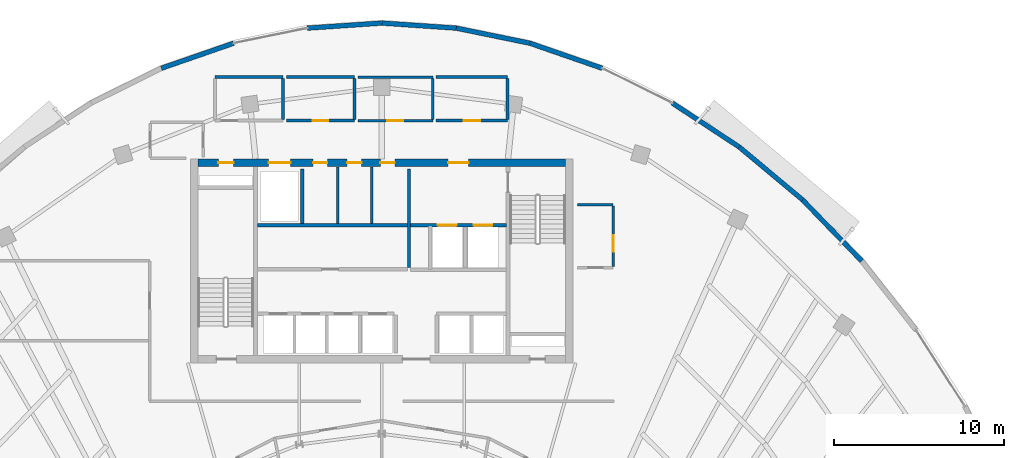
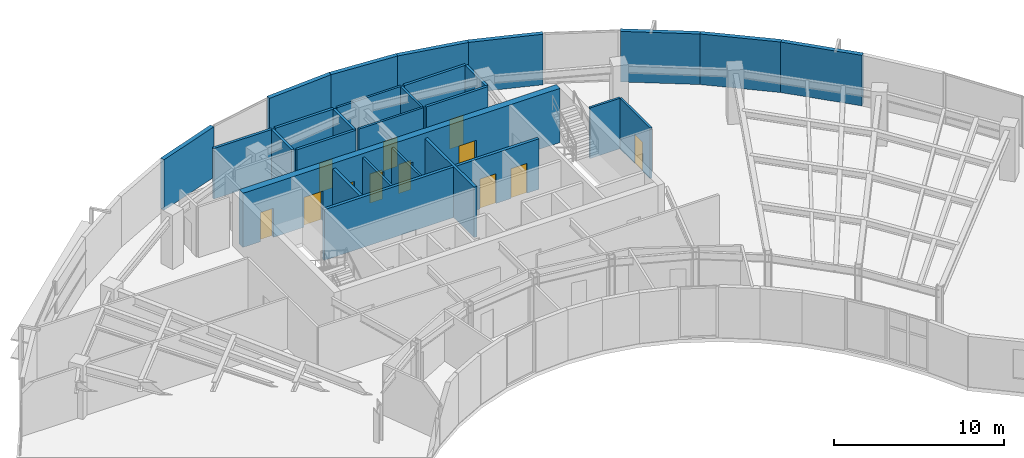
# One storey, part 10 of 14: 28 walls, 12 doors, 12 openings.
"""IFC4 building model written with IfcOpenShell, lengths in metres."""

from ifc_helpers import new_model, si_unit, direction, frame, frame_2d, origin, place, context, subcontext, project, spatial, rectangle, extrude, source, transform, mapped, material, layer, layer_set, type_object, type_shapes, element, fill, save


model = new_model("IFC4")

# Units and contexts
model_context = context("Model", 3, precision=1e-05, world=origin(), true_north=direction((0.0, 1.0)))
body_context = subcontext(model_context, "Body", "Model", "MODEL_VIEW")
ifc_project = project(units=[si_unit("LENGTHUNIT", "METRE"), si_unit("AREAUNIT", "SQUARE_METRE"), si_unit("VOLUMEUNIT", "CUBIC_METRE"), si_unit("PLANEANGLEUNIT", "RADIAN"), si_unit("MASSUNIT", "GRAM", prefix="KILO")], contexts=[model_context])

# Site, building, storey
site_placement = place(None, origin())
site = spatial("IfcSite", under=ifc_project, at=site_placement, CompositionType="ELEMENT")
building_placement = place(site_placement, origin())
building = spatial("IfcBuilding", under=site, at=building_placement, Name="Breltana Convention Tower", CompositionType="ELEMENT")
storey_placement = place(building_placement, frame((0.0, 0.0, 207.89990234375)))
storey = spatial("IfcBuildingStorey", under=building, at=storey_placement, Name="L50", CompositionType="ELEMENT", Elevation=207.89990234375)

# Wall, openings, doors
ifc_material_1 = material(Name="Concrete C60/75", Category="concrete")
ifc_layer_1 = layer(ifc_material_1, 0.449951171875, Name="Concrete C60/75")
ifc_layer_set_1 = layer_set([ifc_layer_1], Name="Concrete C60/75")
wall_type_1 = type_object("IfcWallType", Name="SW-CORE-450", PredefinedType="SHEAR", material=ifc_layer_set_1)
shared_shape_1 = source(origin(), body_context, "Body", "SweptSolid", [
    extrude(rectangle(XDim=21.60009765625, YDim=0.449951171875, at=frame_2d((10.800048828125, 0.0))), origin(), (0.0, 0.0, 1.0), 3.900146484375),
])
wall_1_placement = place(storey_placement, frame((37.199951171875, 71.97509765625, 0.0), z_axis=(0.0, 0.0, 1.0), x_axis=(1.0, 0.0, 0.0)))
wall_1 = element("IfcWall", 1, at=wall_1_placement, inside=storey, type_object=wall_type_1, Name="L50 North Core Shear Wall", PredefinedType="SHEAR", context=body_context, shape_type="MappedRepresentation", body=[
    mapped(shared_shape_1, transform((0.0, 0.0, 0.0), scale=1.0)),
])
opening_1_placement = place(wall_1_placement, frame((1.199951171875, 0.0, 0.0)))
opening_1 = element("IfcOpeningElement", 2, at=opening_1_placement, cuts=wall_1, Name="Opening D-18", PredefinedType="OPENING", context=body_context, shape_type="SweptSolid", body=[
    extrude(rectangle(XDim=0.89990234375, YDim=2.10009765625, at=frame_2d((0.449951171875, 1.050048828125))), frame((0.0, 0.23486328125, 0.0), z_axis=(0.0, -1.0, 0.0), x_axis=(1.0, 0.0, 0.0)), (0.0, 0.0, 1.0), 0.469970703125),
])
opening_2_placement = place(wall_1_placement, frame((14.699951171875, 0.0, 0.0)))
opening_2 = element("IfcOpeningElement", 3, at=opening_2_placement, cuts=wall_1, Name="Opening D-09", PredefinedType="OPENING", context=body_context, shape_type="SweptSolid", body=[
    extrude(rectangle(XDim=1.199951171875, YDim=2.14990234375, at=frame_2d((0.60009765625, 1.074951171875))), frame((0.0, 0.23486328125, 0.0), z_axis=(0.0, -1.0, 0.0), x_axis=(1.0, 0.0, 0.0)), (0.0, 0.0, 1.0), 0.469970703125),
])
opening_3_placement = place(wall_1_placement, frame((4.14990234375, 0.0, 0.0)))
opening_3 = element("IfcOpeningElement", 4, at=opening_3_placement, cuts=wall_1, Name="Opening LD-01", PredefinedType="OPENING", context=body_context, shape_type="SweptSolid", body=[
    extrude(rectangle(XDim=1.300048828125, YDim=2.14990234375, at=frame_2d((0.64990234375, 1.074951171875))), frame((0.0, 0.23486328125, 0.0), z_axis=(0.0, -1.0, 0.0), x_axis=(1.0, 0.0, 0.0)), (0.0, 0.0, 1.0), 0.469970703125),
])
opening_4_placement = place(wall_1_placement, frame((6.760009765625, 0.0, 0.0)))
opening_4 = element("IfcOpeningElement", 5, at=opening_4_placement, cuts=wall_1, Name="Opening D-20", PredefinedType="OPENING", context=body_context, shape_type="SweptSolid", body=[
    extrude(rectangle(XDim=0.85009765625, YDim=2.10009765625, at=frame_2d((0.425048828125, 1.050048828125))), frame((0.0, 0.23486328125, 0.0), z_axis=(0.0, -1.0, 0.0), x_axis=(1.0, 0.0, 0.0)), (0.0, 0.0, 1.0), 0.469970703125),
])
opening_5_placement = place(wall_1_placement, frame((8.760009765625, 0.0, 0.0)))
opening_5 = element("IfcOpeningElement", 6, at=opening_5_placement, cuts=wall_1, Name="Opening D-20", PredefinedType="OPENING", context=body_context, shape_type="SweptSolid", body=[
    extrude(rectangle(XDim=0.85009765625, YDim=2.10009765625, at=frame_2d((0.425048828125, 1.050048828125))), frame((0.0, 0.23486328125, 0.0), z_axis=(0.0, -1.0, 0.0), x_axis=(1.0, 0.0, 0.0)), (0.0, 0.0, 1.0), 0.469970703125),
])
opening_6_placement = place(wall_1_placement, frame((10.72509765625, 0.0, 0.0)))
opening_6 = element("IfcOpeningElement", 7, at=opening_6_placement, cuts=wall_1, Name="Opening D-20", PredefinedType="OPENING", context=body_context, shape_type="SweptSolid", body=[
    extrude(rectangle(XDim=0.85009765625, YDim=2.10009765625, at=frame_2d((0.425048828125, 1.050048828125))), frame((0.0, 0.23486328125, 0.0), z_axis=(0.0, -1.0, 0.0), x_axis=(1.0, 0.0, 0.0)), (0.0, 0.0, 1.0), 0.469970703125),
])
ifc_material_2 = material(Name="Steel Riser Fire Door", Category="steel")
door_type_1 = type_object("IfcDoorType", Name="DR-FD60-900", OperationType="NOTDEFINED", PredefinedType="DOOR", material=ifc_material_2)
shared_shape_2 = source(origin(), body_context, "Body", "SweptSolid", [
    extrude(rectangle(XDim=0.89990234375, YDim=2.10009765625, at=frame_2d((0.449951171875, 1.050048828125))), frame((0.0, 0.02490234375, 0.0), z_axis=(0.0, -1.0, 0.0), x_axis=(1.0, 0.0, 0.0)), (0.0, 0.0, 1.0), 0.050048828125),
])
type_shapes(door_type_1, [shared_shape_2])
door_1_placement = place(opening_1_placement, origin())
door_1 = element("IfcDoor", 8, at=door_1_placement, inside=storey, type_object=door_type_1, Name="L50 Core Riser Access Door D-L50-RS1", OperationType="SINGLE_SWING_LEFT", OverallHeight=2.10009765625, OverallWidth=0.89990234375, PredefinedType="DOOR", context=body_context, shape_type="MappedRepresentation", body=[
    mapped(shared_shape_2, transform((0.0, 0.0, 0.0), scale=1.0)),
])
fill(opening_1, door_1)
ifc_material_3 = material(Name="Steel Fire Lobby Door", Category="steel")
door_type_2 = type_object("IfcDoorType", Name="DR-FD120-1200", OperationType="NOTDEFINED", PredefinedType="DOOR", material=ifc_material_3)
shared_shape_3 = source(origin(), body_context, "Body", "SweptSolid", [
    extrude(rectangle(XDim=1.199951171875, YDim=2.14990234375, at=frame_2d((0.60009765625, 1.074951171875))), frame((0.0, 0.02490234375, 0.0), z_axis=(0.0, -1.0, 0.0), x_axis=(1.0, 0.0, 0.0)), (0.0, 0.0, 1.0), 0.050048828125),
])
type_shapes(door_type_2, [shared_shape_3])
door_2_placement = place(opening_2_placement, origin())
door_2 = element("IfcDoor", 9, at=door_2_placement, inside=storey, type_object=door_type_2, Name="L50 interior door D-L50-FFL-N", OperationType="SINGLE_SWING_RIGHT", OverallHeight=2.14990234375, OverallWidth=1.199951171875, PredefinedType="DOOR", context=body_context, shape_type="MappedRepresentation", body=[
    mapped(shared_shape_3, transform((0.0, 0.0, 0.0), scale=1.0)),
])
fill(opening_2, door_2)
ifc_material_4 = material(Name="Stainless Steel Brushed", Category="steel")
door_type_3 = type_object("IfcDoorType", Name="DR-LD-SRV-1300", OperationType="DOUBLE_DOOR_SLIDING", PredefinedType="DOOR", material=ifc_material_4)
shared_shape_4 = source(origin(), body_context, "Body", "SweptSolid", [
    extrude(rectangle(XDim=1.300048828125, YDim=2.14990234375, at=frame_2d((0.64990234375, 1.074951171875))), frame((0.0, 0.02490234375, 0.0), z_axis=(0.0, -1.0, 0.0), x_axis=(1.0, 0.0, 0.0)), (0.0, 0.0, 1.0), 0.050048828125),
])
type_shapes(door_type_3, [shared_shape_4])
door_3_placement = place(opening_3_placement, origin())
door_3 = element("IfcDoor", 10, at=door_3_placement, inside=storey, type_object=door_type_3, Name="L50 Lift Landing Door D-L50-LD-SV1", OperationType="DOUBLE_DOOR_SLIDING", OverallHeight=2.14990234375, OverallWidth=1.300048828125, PredefinedType="DOOR", context=body_context, shape_type="MappedRepresentation", body=[
    mapped(shared_shape_4, transform((0.0, 0.0, 0.0), scale=1.0)),
])
fill(opening_3, door_3)
ifc_material_5 = material(Name="Steel Closet Fire Door", Category="steel")
door_type_4 = type_object("IfcDoorType", Name="DR-FD60-850", OperationType="NOTDEFINED", PredefinedType="DOOR", material=ifc_material_5)
shared_shape_5 = source(origin(), body_context, "Body", "SweptSolid", [
    extrude(rectangle(XDim=0.85009765625, YDim=2.10009765625, at=frame_2d((0.425048828125, 1.050048828125))), frame((0.0, 0.02490234375, 0.0), z_axis=(0.0, -1.0, 0.0), x_axis=(1.0, 0.0, 0.0)), (0.0, 0.0, 1.0), 0.050048828125),
])
type_shapes(door_type_4, [shared_shape_5])
door_4_placement = place(opening_4_placement, origin())
door_4 = element("IfcDoor", 11, at=door_4_placement, inside=storey, type_object=door_type_4, Name="L50 interior door D-L50-CRA1", OperationType="SINGLE_SWING_RIGHT", OverallHeight=2.10009765625, OverallWidth=0.85009765625, PredefinedType="DOOR", context=body_context, shape_type="MappedRepresentation", body=[
    mapped(shared_shape_5, transform((0.0, 0.0, 0.0), scale=1.0)),
])
fill(opening_4, door_4)
door_5_placement = place(opening_5_placement, origin())
door_5 = element("IfcDoor", 12, at=door_5_placement, inside=storey, type_object=door_type_4, Name="L50 interior door D-L50-CRA2", OperationType="SINGLE_SWING_LEFT", OverallHeight=2.10009765625, OverallWidth=0.85009765625, PredefinedType="DOOR", context=body_context, shape_type="MappedRepresentation", body=[
    mapped(shared_shape_5, transform((0.0, 0.0, 0.0), scale=1.0)),
])
fill(opening_5, door_5)
door_6_placement = place(opening_6_placement, origin())
door_6 = element("IfcDoor", 13, at=door_6_placement, inside=storey, type_object=door_type_4, Name="L50 interior door D-L50-CRA3", OperationType="SINGLE_SWING_RIGHT", OverallHeight=2.10009765625, OverallWidth=0.85009765625, PredefinedType="DOOR", context=body_context, shape_type="MappedRepresentation", body=[
    mapped(shared_shape_5, transform((0.0, 0.0, 0.0), scale=1.0)),
])
fill(opening_6, door_6)

# Walls
ifc_material_6 = material(Name="Limestone Buff Insulated Wall", Category="masonry")
ifc_layer_2 = layer(ifc_material_6, 0.280029296875, Name="Limestone Buff Insulated Wall")
ifc_layer_set_2 = layer_set([ifc_layer_2], Name="Limestone Buff Insulated Wall")
wall_type_2 = type_object("IfcWallType", Name="WL-EXT-NOSE-280", PredefinedType="SOLIDWALL", material=ifc_layer_set_2)
shared_shape_6 = source(origin(), body_context, "Body", "SweptSolid", [
    extrude(rectangle(XDim=4.851806640625, YDim=0.280029296875, at=frame_2d((2.42578125, 0.0))), origin(), (0.0, 0.0, 1.0), 3.64013671875),
])
wall_2_placement = place(storey_placement, frame((69.006103515625, 72.8955078125, 0.0), z_axis=(0.0, 0.0, 1.0), x_axis=(0.767936605821, -0.640525853843, 0.0)))
element("IfcWall", 14, at=wall_2_placement, inside=storey, type_object=wall_type_2, Name="L50 curved limestone nose wall E30", PredefinedType="SOLIDWALL", context=body_context, shape_type="MappedRepresentation", body=[
    mapped(shared_shape_6, transform((0.0, 0.0, 0.0), scale=1.0)),
])
shared_shape_7 = source(origin(), body_context, "Body", "SweptSolid", [
    extrude(rectangle(XDim=4.712646484375, YDim=0.280029296875, at=frame_2d((2.3564453125, 0.0))), origin(), (0.0, 0.0, 1.0), 3.64013671875),
])
wall_3_placement = place(storey_placement, frame((65.06640625, 75.481689453125, 0.0), z_axis=(0.0, 0.0, 1.0), x_axis=(0.835974386457, -0.548768462275, 0.0)))
element("IfcWall", 15, at=wall_3_placement, inside=storey, type_object=wall_type_2, Name="L50 curved limestone nose wall E29", PredefinedType="SOLIDWALL", context=body_context, shape_type="MappedRepresentation", body=[
    mapped(shared_shape_7, transform((0.0, 0.0, 0.0), scale=1.0)),
])
shared_shape_8 = source(origin(), body_context, "Body", "SweptSolid", [
    extrude(rectangle(XDim=4.4921875, YDim=0.280029296875, at=frame_2d((2.24609375, 0.0))), origin(), (0.0, 0.0, 1.0), 3.64013671875),
])
for number, where, z_axis, x_axis, name in (
    (16, (35.04638671875, 77.520263671875, 0.0), (0.0, 0.0, 1.0), (0.944872297412, 0.32743906545, 0.0), "L50 curved limestone nose wall E24"),
    (17, (56.708984375, 78.9912109375, 0.0), (0.0, 0.0, 1.0), (0.944872297412, -0.32743906545, 0.0), "L50 curved limestone nose wall E28"),
):
    element("IfcWall", number, at=place(storey_placement, frame(where, z_axis=z_axis, x_axis=x_axis)), inside=storey, type_object=wall_type_2, Name=name, PredefinedType="SOLIDWALL", context=body_context, shape_type="MappedRepresentation", body=[
        mapped(shared_shape_8, transform((0.0, 0.0, 0.0), scale=1.0)),
    ])
shared_shape_9 = source(origin(), body_context, "Body", "SweptSolid", [
    extrude(rectangle(XDim=4.38671875, YDim=0.280029296875, at=frame_2d((2.193359375, 0.0))), origin(), (0.0, 0.0, 1.0), 3.64013671875),
])
for number, where, z_axis, x_axis, name in (
    (18, (43.623291015625, 79.87939453125, 0.0), (0.0, 0.0, 1.0), (0.997703650546, 0.06773053733, 0.0), "L50 curved limestone nose wall E25"),
    (19, (48.0, 80.176513671875, 0.0), (0.0, 0.0, 1.0), (0.997703650546, -0.06773053733, 0.0), "L50 curved limestone nose wall E26"),
):
    element("IfcWall", number, at=place(storey_placement, frame(where, z_axis=z_axis, x_axis=x_axis)), inside=storey, type_object=wall_type_2, Name=name, PredefinedType="SOLIDWALL", context=body_context, shape_type="MappedRepresentation", body=[
        mapped(shared_shape_9, transform((0.0, 0.0, 0.0), scale=1.0)),
    ])
shared_shape_10 = source(origin(), body_context, "Body", "SweptSolid", [
    extrude(rectangle(XDim=4.42236328125, YDim=0.280029296875, at=frame_2d((2.211181640625, 0.0))), origin(), (0.0, 0.0, 1.0), 3.64013671875),
])
wall_4_placement = place(storey_placement, frame((52.376708984375, 79.87939453125, 0.0), z_axis=(0.0, 0.0, 1.0), x_axis=(0.979624428875, -0.200838189476, 0.0)))
element("IfcWall", 20, at=wall_4_placement, inside=storey, type_object=wall_type_2, Name="L50 curved limestone nose wall E27", PredefinedType="SOLIDWALL", context=body_context, shape_type="MappedRepresentation", body=[
    mapped(shared_shape_10, transform((0.0, 0.0, 0.0), scale=1.0)),
])
shared_shape_11 = source(origin(), body_context, "Body", "SweptSolid", [
    extrude(rectangle(XDim=5.000732421875, YDim=0.280029296875, at=frame_2d((2.50048828125, 0.0))), origin(), (0.0, 0.0, 1.0), 3.64013671875),
])
wall_5_placement = place(storey_placement, frame((72.73193359375, 69.787841796875, 0.0), z_axis=(0.0, 0.0, 1.0), x_axis=(0.694572731818, -0.719422490762, 0.0)))
element("IfcWall", 21, at=wall_5_placement, inside=storey, type_object=wall_type_2, Name="L50 curved limestone nose wall E31", PredefinedType="SOLIDWALL", context=body_context, shape_type="MappedRepresentation", body=[
    mapped(shared_shape_11, transform((0.0, 0.0, 0.0), scale=1.0)),
])

# Wall, openings, doors
ifc_material_7 = material(Name="Autoclaved Aerated Concrete Block", Category="concrete")
ifc_layer_3 = layer(ifc_material_7, 0.199951171875, Name="Autoclaved Aerated Concrete Block")
ifc_layer_set_3 = layer_set([ifc_layer_3], Name="Autoclaved Aerated Concrete Block")
wall_type_3 = type_object("IfcWallType", Name="WL-SHAFT-200", PredefinedType="SOLIDWALL", material=ifc_layer_set_3)
shared_shape_12 = source(origin(), body_context, "Body", "SweptSolid", [
    extrude(rectangle(XDim=5.6201171875, YDim=0.199951171875, at=frame_2d((2.81005859375, 0.0))), origin(), (0.0, 0.0, 1.0), 3.64013671875),
])
wall_6_placement = place(storey_placement, frame((49.699951171875, 68.300048828125, 0.0), z_axis=(0.0, 0.0, 1.0), x_axis=(1.0, 0.0, 0.0)))
wall_6 = element("IfcWall", 22, at=wall_6_placement, inside=storey, type_object=wall_type_3, Name="L50 interior partition W-L50-FFL-S", PredefinedType="SOLIDWALL", context=body_context, shape_type="MappedRepresentation", body=[
    mapped(shared_shape_12, transform((0.0, 0.0, 0.0), scale=1.0)),
])
opening_7_placement = place(wall_6_placement, frame((1.60009765625, 0.0, 0.0)))
opening_7 = element("IfcOpeningElement", 23, at=opening_7_placement, cuts=wall_6, Name="Opening LD-03", PredefinedType="OPENING", context=body_context, shape_type="SweptSolid", body=[
    extrude(rectangle(XDim=1.10009765625, YDim=2.14990234375, at=frame_2d((0.550048828125, 1.074951171875))), frame((0.0, 0.10986328125, 0.0), z_axis=(0.0, -1.0, 0.0), x_axis=(1.0, 0.0, 0.0)), (0.0, 0.0, 1.0), 0.219970703125),
])
opening_8_placement = place(wall_6_placement, frame((3.699951171875, 0.0, 0.0)))
opening_8 = element("IfcOpeningElement", 24, at=opening_8_placement, cuts=wall_6, Name="Opening LD-03", PredefinedType="OPENING", context=body_context, shape_type="SweptSolid", body=[
    extrude(rectangle(XDim=1.10009765625, YDim=2.14990234375, at=frame_2d((0.550048828125, 1.074951171875))), frame((0.0, 0.10986328125, 0.0), z_axis=(0.0, -1.0, 0.0), x_axis=(1.0, 0.0, 0.0)), (0.0, 0.0, 1.0), 0.219970703125),
])
door_type_5 = type_object("IfcDoorType", Name="DR-LD-FF-1100", OperationType="DOUBLE_DOOR_SLIDING", PredefinedType="DOOR", material=ifc_material_4)
shared_shape_13 = source(origin(), body_context, "Body", "SweptSolid", [
    extrude(rectangle(XDim=1.10009765625, YDim=2.14990234375, at=frame_2d((0.550048828125, 1.074951171875))), frame((0.0, 0.02490234375, 0.0), z_axis=(0.0, -1.0, 0.0), x_axis=(1.0, 0.0, 0.0)), (0.0, 0.0, 1.0), 0.050048828125),
])
type_shapes(door_type_5, [shared_shape_13])
door_7_placement = place(opening_7_placement, origin())
door_7 = element("IfcDoor", 25, at=door_7_placement, inside=storey, type_object=door_type_5, Name="L50 Lift Landing Door D-L50-LD-FL1", OperationType="DOUBLE_DOOR_SLIDING", OverallHeight=2.14990234375, OverallWidth=1.10009765625, PredefinedType="DOOR", context=body_context, shape_type="MappedRepresentation", body=[
    mapped(shared_shape_13, transform((0.0, 0.0, 0.0), scale=1.0)),
])
fill(opening_7, door_7)
door_8_placement = place(opening_8_placement, origin())
door_8 = element("IfcDoor", 26, at=door_8_placement, inside=storey, type_object=door_type_5, Name="L50 Lift Landing Door D-L50-LD-FL2", OperationType="DOUBLE_DOOR_SLIDING", OverallHeight=2.14990234375, OverallWidth=1.10009765625, PredefinedType="DOOR", context=body_context, shape_type="MappedRepresentation", body=[
    mapped(shared_shape_13, transform((0.0, 0.0, 0.0), scale=1.0)),
])
fill(opening_8, door_8)

# Walls
shared_shape_14 = source(origin(), body_context, "Body", "SweptSolid", [
    extrude(rectangle(XDim=5.800048828125, YDim=0.199951171875, at=frame_2d((2.89990234375, 0.0))), origin(), (0.0, 0.0, 1.0), 3.64013671875),
])
wall_7_placement = place(storey_placement, frame((49.60009765625, 65.800048828125, 0.0), z_axis=(0.0, 0.0, 1.0), x_axis=(0.0, 1.0, 0.0)))
element("IfcWall", 27, at=wall_7_placement, inside=storey, type_object=wall_type_3, Name="L50 interior partition W-L50-FFL-W", PredefinedType="SOLIDWALL", context=body_context, shape_type="MappedRepresentation", body=[
    mapped(shared_shape_14, transform((0.0, 0.0, 0.0), scale=1.0)),
])
shared_shape_15 = source(origin(), body_context, "Body", "SweptSolid", [
    extrude(rectangle(XDim=3.2001953125, YDim=0.199951171875, at=frame_2d((1.60009765625, 0.0))), origin(), (0.0, 0.0, 1.0), 3.64013671875),
])
wall_8_placement = place(storey_placement, frame((43.320068359375, 68.39990234375, 0.0), z_axis=(0.0, 0.0, 1.0), x_axis=(0.0, 1.0, 0.0)))
element("IfcWall", 28, at=wall_8_placement, inside=storey, type_object=wall_type_3, Name="L50 interior partition W-L50-SV-E", PredefinedType="SOLIDWALL", context=body_context, shape_type="MappedRepresentation", body=[
    mapped(shared_shape_15, transform((0.0, 0.0, 0.0), scale=1.0)),
])
shared_shape_16 = source(origin(), body_context, "Body", "SweptSolid", [
    extrude(rectangle(XDim=8.800048828125, YDim=0.199951171875, at=frame_2d((4.39990234375, 0.0))), origin(), (0.0, 0.0, 1.0), 3.64013671875),
])
wall_9_placement = place(storey_placement, frame((40.699951171875, 68.300048828125, 0.0), z_axis=(0.0, 0.0, 1.0), x_axis=(1.0, 0.0, 0.0)))
element("IfcWall", 29, at=wall_9_placement, inside=storey, type_object=wall_type_3, Name="L50 interior partition W-L50-SV-S", PredefinedType="SOLIDWALL", context=body_context, shape_type="MappedRepresentation", body=[
    mapped(shared_shape_16, transform((0.0, 0.0, 0.0), scale=1.0)),
])
ifc_material_8 = material(Name="Gypsum Acoustic Drywall Partition")
ifc_layer_4 = layer(ifc_material_8, 0.14990234375, Name="Gypsum Acoustic Drywall Partition")
ifc_layer_set_4 = layer_set([ifc_layer_4], Name="Gypsum Acoustic Drywall Partition")
wall_type_4 = type_object("IfcWallType", Name="WL-PART-150", PredefinedType="PARTITIONING", material=ifc_layer_set_4)
shared_shape_17 = source(origin(), body_context, "Body", "SweptSolid", [
    extrude(rectangle(XDim=3.330078125, YDim=0.14990234375, at=frame_2d((1.6650390625, 0.0))), origin(), (0.0, 0.0, 1.0), 3.64013671875),
])
for number, where, z_axis, x_axis, name in (
    (30, (45.39990234375, 68.39990234375, 0.0), (0.0, 0.0, 1.0), (0.0, 1.0, 0.0), "L50 interior partition W-L50-KV-1"),
    (31, (47.39990234375, 68.39990234375, 0.0), (0.0, 0.0, 1.0), (0.0, 1.0, 0.0), "L50 interior partition W-L50-KV-2"),
):
    element("IfcWall", number, at=place(storey_placement, frame(where, z_axis=z_axis, x_axis=x_axis)), inside=storey, type_object=wall_type_4, Name=name, PredefinedType="PARTITIONING", context=body_context, shape_type="MappedRepresentation", body=[
        mapped(shared_shape_17, transform((0.0, 0.0, 0.0), scale=1.0)),
    ])
shared_shape_18 = source(origin(), body_context, "Body", "SweptSolid", [
    extrude(rectangle(XDim=2.10009765625, YDim=0.14990234375, at=frame_2d((1.050048828125, 0.0))), origin(), (0.0, 0.0, 1.0), 3.64013671875),
])
wall_10_placement = place(storey_placement, frame((59.5, 69.5, 0.0), z_axis=(0.0, 0.0, 1.0), x_axis=(1.0, 0.0, 0.0)))
element("IfcWall", 32, at=wall_10_placement, inside=storey, type_object=wall_type_4, Name="L50 interior partition W-L50-CRSE-N", PredefinedType="PARTITIONING", context=body_context, shape_type="MappedRepresentation", body=[
    mapped(shared_shape_18, transform((0.0, 0.0, 0.0), scale=1.0)),
])

# Wall, opening, door
shared_shape_19 = source(origin(), body_context, "Body", "SweptSolid", [
    extrude(rectangle(XDim=3.565185546875, YDim=0.14990234375, at=frame_2d((1.78271484375, 0.0))), origin(), (0.0, 0.0, 1.0), 3.64013671875),
])
wall_11_placement = place(storey_placement, frame((61.60009765625, 65.867431640625, 0.0), z_axis=(0.0, 0.0, 1.0), x_axis=(0.0, 1.0, 0.0)))
wall_11 = element("IfcWall", 33, at=wall_11_placement, inside=storey, type_object=wall_type_4, Name="L50 interior partition W-L50-CRSE-E", PredefinedType="PARTITIONING", context=body_context, shape_type="MappedRepresentation", body=[
    mapped(shared_shape_19, transform((0.0, 0.0, 0.0), scale=1.0)),
])
opening_9_placement = place(wall_11_placement, frame((0.879638671875, 0.0, 0.0)))
opening_9 = element("IfcOpeningElement", 34, at=opening_9_placement, cuts=wall_11, Name="Opening D-17", PredefinedType="OPENING", context=body_context, shape_type="SweptSolid", body=[
    extrude(rectangle(XDim=0.949951171875, YDim=2.10009765625, at=frame_2d((0.47509765625, 1.050048828125))), frame((0.0, 0.0849609375, 0.0), z_axis=(0.0, -1.0, 0.0), x_axis=(1.0, 0.0, 0.0)), (0.0, 0.0, 1.0), 0.169921875),
])
ifc_material_9 = material(Name="Timber Oak Veneer Door", Category="wood")
door_type_6 = type_object("IfcDoorType", Name="DR-INT-950", OperationType="NOTDEFINED", PredefinedType="DOOR", material=ifc_material_9)
shared_shape_20 = source(origin(), body_context, "Body", "SweptSolid", [
    extrude(rectangle(XDim=0.949951171875, YDim=2.10009765625, at=frame_2d((0.47509765625, 1.050048828125))), frame((0.0, 0.02490234375, 0.0), z_axis=(0.0, -1.0, 0.0), x_axis=(1.0, 0.0, 0.0)), (0.0, 0.0, 1.0), 0.050048828125),
])
type_shapes(door_type_6, [shared_shape_20])
door_9_placement = place(opening_9_placement, origin())
door_9 = element("IfcDoor", 35, at=door_9_placement, inside=storey, type_object=door_type_6, Name="L50 interior door D-L50-EXE1", OperationType="SINGLE_SWING_LEFT", OverallHeight=2.10009765625, OverallWidth=0.949951171875, PredefinedType="DOOR", context=body_context, shape_type="MappedRepresentation", body=[
    mapped(shared_shape_20, transform((0.0, 0.0, 0.0), scale=1.0)),
])
fill(opening_9, door_9)

ifc_material_10 = material(Name="Cement Board Wet-Area Partition")
ifc_layer_5 = layer(ifc_material_10, 0.175048828125, Name="Cement Board Wet-Area Partition")
ifc_layer_set_5 = layer_set([ifc_layer_5], Name="Cement Board Wet-Area Partition")
wall_type_5 = type_object("IfcWallType", Name="WL-WET-175", PredefinedType="PARTITIONING", material=ifc_layer_set_5)
shared_shape_21 = source(origin(), body_context, "Body", "SweptSolid", [
    extrude(rectangle(XDim=4.0, YDim=0.175048828125, at=frame_2d((2.0, 0.0))), origin(), (0.0, 0.0, 1.0), 3.64013671875),
])
wall_12_placement = place(storey_placement, frame((42.39990234375, 74.43994140625, 0.0), z_axis=(0.0, 0.0, 1.0), x_axis=(1.0, 0.0, 0.0)))
wall_12 = element("IfcWall", 36, at=wall_12_placement, inside=storey, type_object=wall_type_5, Name="L50 interior partition W-L50-WCF-S", PredefinedType="PARTITIONING", context=body_context, shape_type="MappedRepresentation", body=[
    mapped(shared_shape_21, transform((0.0, 0.0, 0.0), scale=1.0)),
])
opening_10_placement = place(wall_12_placement, frame((1.550048828125, 0.0, 0.0)))
opening_10 = element("IfcOpeningElement", 37, at=opening_10_placement, cuts=wall_12, Name="Opening D-19", PredefinedType="OPENING", context=body_context, shape_type="SweptSolid", body=[
    extrude(rectangle(XDim=0.89990234375, YDim=2.080078125, at=frame_2d((0.449951171875, 1.0400390625))), frame((0.0, 0.09765625, 0.0), z_axis=(0.0, -1.0, 0.0), x_axis=(1.0, 0.0, 0.0)), (0.0, 0.0, 1.0), 0.195068359375),
])
ifc_material_11 = material(Name="Timber Moisture-Resistant Door", Category="wood")
door_type_7 = type_object("IfcDoorType", Name="DR-WC-900", OperationType="NOTDEFINED", PredefinedType="DOOR", material=ifc_material_11)
shared_shape_22 = source(origin(), body_context, "Body", "SweptSolid", [
    extrude(rectangle(XDim=0.89990234375, YDim=2.080078125, at=frame_2d((0.449951171875, 1.0400390625))), frame((0.0, 0.02490234375, 0.0), z_axis=(0.0, -1.0, 0.0), x_axis=(1.0, 0.0, 0.0)), (0.0, 0.0, 1.0), 0.050048828125),
])
type_shapes(door_type_7, [shared_shape_22])
door_10_placement = place(opening_10_placement, origin())
door_10 = element("IfcDoor", 38, at=door_10_placement, inside=storey, type_object=door_type_7, Name="L50 interior door D-L50-WCF", OperationType="SINGLE_SWING_LEFT", OverallHeight=2.080078125, OverallWidth=0.89990234375, PredefinedType="DOOR", context=body_context, shape_type="MappedRepresentation", body=[
    mapped(shared_shape_22, transform((0.0, 0.0, 0.0), scale=1.0)),
])
fill(opening_10, door_10)

# Walls
ifc_material_12 = material(Name="Moisture-Resistant Gypsum Chase Wall")
ifc_layer_6 = layer(ifc_material_12, 0.179931640625, Name="Moisture-Resistant Gypsum Chase Wall")
ifc_layer_set_6 = layer_set([ifc_layer_6], Name="Moisture-Resistant Gypsum Chase Wall")
wall_type_6 = type_object("IfcWallType", Name="WL-PLUMB-180", PredefinedType="PLUMBINGWALL", material=ifc_layer_set_6)
shared_shape_23 = source(origin(), body_context, "Body", "SweptSolid", [
    extrude(rectangle(XDim=4.0, YDim=0.179931640625, at=frame_2d((2.0, 0.0))), origin(), (0.0, 0.0, 1.0), 3.64013671875),
])
for number, where, z_axis, x_axis, name in (
    (39, (38.199951171875, 77.0, 0.0), (0.0, 0.0, 1.0), (1.0, 0.0, 0.0), "L50 interior partition W-L50-WCM-N"),
    (40, (42.39990234375, 77.0, 0.0), (0.0, 0.0, 1.0), (1.0, 0.0, 0.0), "L50 interior partition W-L50-WCF-N"),
):
    element("IfcWall", number, at=place(storey_placement, frame(where, z_axis=z_axis, x_axis=x_axis)), inside=storey, type_object=wall_type_6, Name=name, PredefinedType="PLUMBINGWALL", context=body_context, shape_type="MappedRepresentation", body=[
        mapped(shared_shape_23, transform((0.0, 0.0, 0.0), scale=1.0)),
    ])
shared_shape_24 = source(origin(), body_context, "Body", "SweptSolid", [
    extrude(rectangle(XDim=2.402587890625, YDim=0.175048828125, at=frame_2d((1.201171875, 0.0))), origin(), (0.0, 0.0, 1.0), 3.64013671875),
])
for number, where, z_axis, x_axis, name in (
    (41, (42.199951171875, 74.518798828125, 0.0), (0.0, 0.0, 1.0), (0.0, 1.0, 0.0), "L50 interior partition W-L50-WCM-E"),
    (42, (46.39990234375, 74.518798828125, 0.0), (0.0, 0.0, 1.0), (0.0, 1.0, 0.0), "L50 interior partition W-L50-WCF-E"),
    (43, (55.39990234375, 74.518798828125, 0.0), (0.0, 0.0, 1.0), (0.0, 1.0, 0.0), "L50 interior partition W-L50-WCA-E"),
):
    element("IfcWall", number, at=place(storey_placement, frame(where, z_axis=z_axis, x_axis=x_axis)), inside=storey, type_object=wall_type_5, Name=name, PredefinedType="PARTITIONING", context=body_context, shape_type="MappedRepresentation", body=[
        mapped(shared_shape_24, transform((0.0, 0.0, 0.0), scale=1.0)),
    ])

# Wall, opening, door
shared_shape_25 = source(origin(), body_context, "Body", "SweptSolid", [
    extrude(rectangle(XDim=4.39990234375, YDim=0.14990234375, at=frame_2d((2.199951171875, 0.0))), origin(), (0.0, 0.0, 1.0), 3.64013671875),
])
wall_13_placement = place(storey_placement, frame((46.60009765625, 74.43994140625, 0.0), z_axis=(0.0, 0.0, 1.0), x_axis=(1.0, 0.0, 0.0)))
wall_13 = element("IfcWall", 44, at=wall_13_placement, inside=storey, type_object=wall_type_4, Name="L50 interior partition W-L50-PNT-S", PredefinedType="PARTITIONING", context=body_context, shape_type="MappedRepresentation", body=[
    mapped(shared_shape_25, transform((0.0, 0.0, 0.0), scale=1.0)),
])
opening_11_placement = place(wall_13_placement, frame((1.72509765625, 0.0, 0.0)))
opening_11 = element("IfcOpeningElement", 45, at=opening_11_placement, cuts=wall_13, Name="Opening D-17", PredefinedType="OPENING", context=body_context, shape_type="SweptSolid", body=[
    extrude(rectangle(XDim=0.949951171875, YDim=2.10009765625, at=frame_2d((0.47509765625, 1.050048828125))), frame((0.0, 0.0849609375, 0.0), z_axis=(0.0, -1.0, 0.0), x_axis=(1.0, 0.0, 0.0)), (0.0, 0.0, 1.0), 0.169921875),
])
door_11_placement = place(opening_11_placement, origin())
door_11 = element("IfcDoor", 46, at=door_11_placement, inside=storey, type_object=door_type_6, Name="L50 interior door D-L50-PNT", OperationType="SINGLE_SWING_RIGHT", OverallHeight=2.10009765625, OverallWidth=0.949951171875, PredefinedType="DOOR", context=body_context, shape_type="MappedRepresentation", body=[
    mapped(shared_shape_20, transform((0.0, 0.0, 0.0), scale=1.0)),
])
fill(opening_11, door_11)

# Walls
wall_14_placement = place(storey_placement, frame((46.60009765625, 77.0, 0.0), z_axis=(0.0, 0.0, 1.0), x_axis=(1.0, 0.0, 0.0)))
element("IfcWall", 47, at=wall_14_placement, inside=storey, type_object=wall_type_4, Name="L50 interior partition W-L50-PNT-N", PredefinedType="PARTITIONING", context=body_context, shape_type="MappedRepresentation", body=[
    mapped(shared_shape_25, transform((0.0, 0.0, 0.0), scale=1.0)),
])
shared_shape_26 = source(origin(), body_context, "Body", "SweptSolid", [
    extrude(rectangle(XDim=2.425048828125, YDim=0.14990234375, at=frame_2d((1.21240234375, 0.0))), origin(), (0.0, 0.0, 1.0), 3.64013671875),
])
wall_15_placement = place(storey_placement, frame((51.0, 74.507568359375, 0.0), z_axis=(0.0, 0.0, 1.0), x_axis=(0.0, 1.0, 0.0)))
element("IfcWall", 48, at=wall_15_placement, inside=storey, type_object=wall_type_4, Name="L50 interior partition W-L50-PNT-E", PredefinedType="PARTITIONING", context=body_context, shape_type="MappedRepresentation", body=[
    mapped(shared_shape_26, transform((0.0, 0.0, 0.0), scale=1.0)),
])

# Wall, opening, door
shared_shape_27 = source(origin(), body_context, "Body", "SweptSolid", [
    extrude(rectangle(XDim=4.199951171875, YDim=0.175048828125, at=frame_2d((2.10009765625, 0.0))), origin(), (0.0, 0.0, 1.0), 3.64013671875),
])
wall_16_placement = place(storey_placement, frame((51.199951171875, 74.43994140625, 0.0), z_axis=(0.0, 0.0, 1.0), x_axis=(1.0, 0.0, 0.0)))
wall_16 = element("IfcWall", 49, at=wall_16_placement, inside=storey, type_object=wall_type_5, Name="L50 interior partition W-L50-WCA-S", PredefinedType="PARTITIONING", context=body_context, shape_type="MappedRepresentation", body=[
    mapped(shared_shape_27, transform((0.0, 0.0, 0.0), scale=1.0)),
])
opening_12_placement = place(wall_16_placement, frame((1.625, 0.0, 0.0)))
opening_12 = element("IfcOpeningElement", 50, at=opening_12_placement, cuts=wall_16, Name="Opening D-16", PredefinedType="OPENING", context=body_context, shape_type="SweptSolid", body=[
    extrude(rectangle(XDim=0.949951171875, YDim=2.1201171875, at=frame_2d((0.47509765625, 1.06005859375))), frame((0.0, 0.09765625, 0.0), z_axis=(0.0, -1.0, 0.0), x_axis=(1.0, 0.0, 0.0)), (0.0, 0.0, 1.0), 0.195068359375),
])
ifc_material_13 = material(Name="Timber Laminate Accessible Door", Category="wood")
door_type_8 = type_object("IfcDoorType", Name="DR-ACC-950", OperationType="NOTDEFINED", PredefinedType="DOOR", material=ifc_material_13)
shared_shape_28 = source(origin(), body_context, "Body", "SweptSolid", [
    extrude(rectangle(XDim=0.949951171875, YDim=2.1201171875, at=frame_2d((0.47509765625, 1.06005859375))), frame((0.0, 0.02490234375, 0.0), z_axis=(0.0, -1.0, 0.0), x_axis=(1.0, 0.0, 0.0)), (0.0, 0.0, 1.0), 0.050048828125),
])
type_shapes(door_type_8, [shared_shape_28])
door_12_placement = place(opening_12_placement, origin())
door_12 = element("IfcDoor", 51, at=door_12_placement, inside=storey, type_object=door_type_8, Name="L50 interior door D-L50-WCA", OperationType="SINGLE_SWING_LEFT", OverallHeight=2.1201171875, OverallWidth=0.949951171875, PredefinedType="DOOR", context=body_context, shape_type="MappedRepresentation", body=[
    mapped(shared_shape_28, transform((0.0, 0.0, 0.0), scale=1.0)),
])
fill(opening_12, door_12)

# Wall
shared_shape_29 = source(origin(), body_context, "Body", "SweptSolid", [
    extrude(rectangle(XDim=4.199951171875, YDim=0.179931640625, at=frame_2d((2.10009765625, 0.0))), origin(), (0.0, 0.0, 1.0), 3.64013671875),
])
wall_17_placement = place(storey_placement, frame((51.199951171875, 77.0, 0.0), z_axis=(0.0, 0.0, 1.0), x_axis=(1.0, 0.0, 0.0)))
element("IfcWall", 52, at=wall_17_placement, inside=storey, type_object=wall_type_6, Name="L50 interior partition W-L50-WCA-N", PredefinedType="PLUMBINGWALL", context=body_context, shape_type="MappedRepresentation", body=[
    mapped(shared_shape_29, transform((0.0, 0.0, 0.0), scale=1.0)),
])

save(model, "model.ifc")
